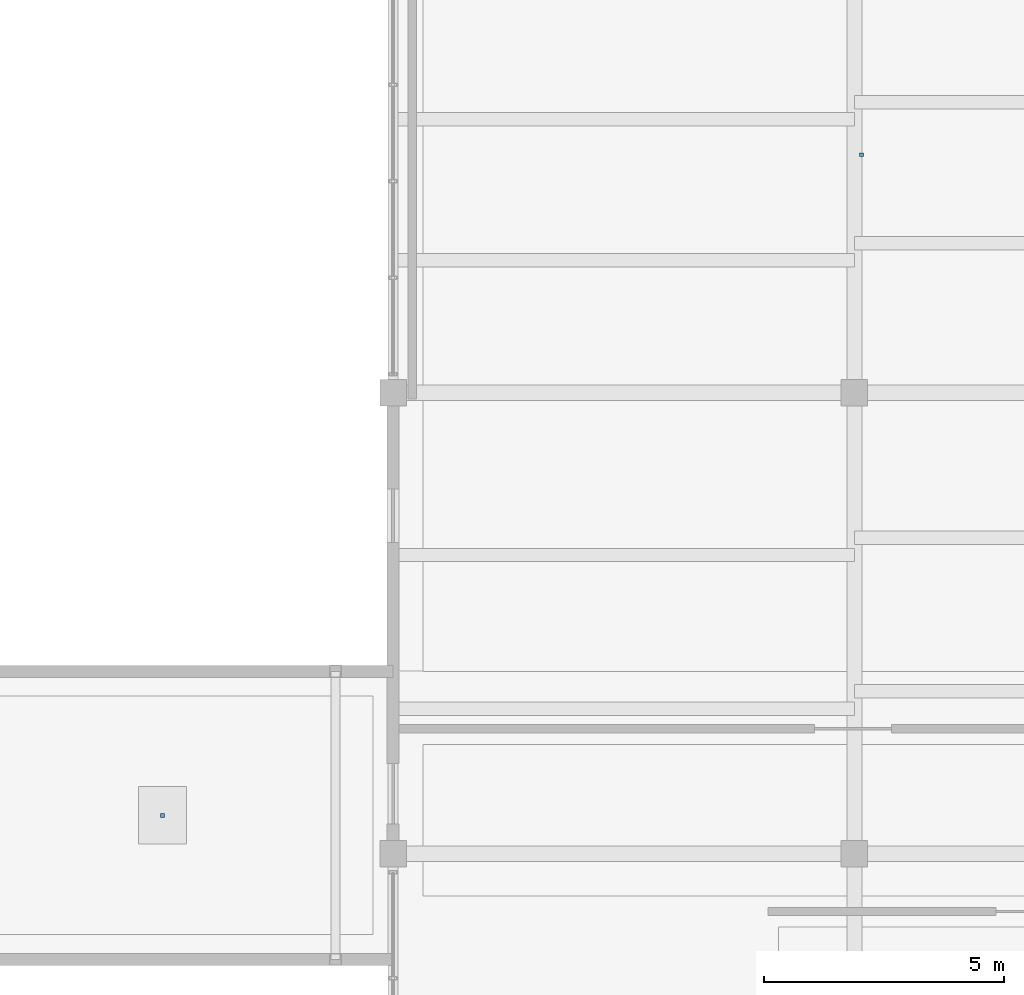
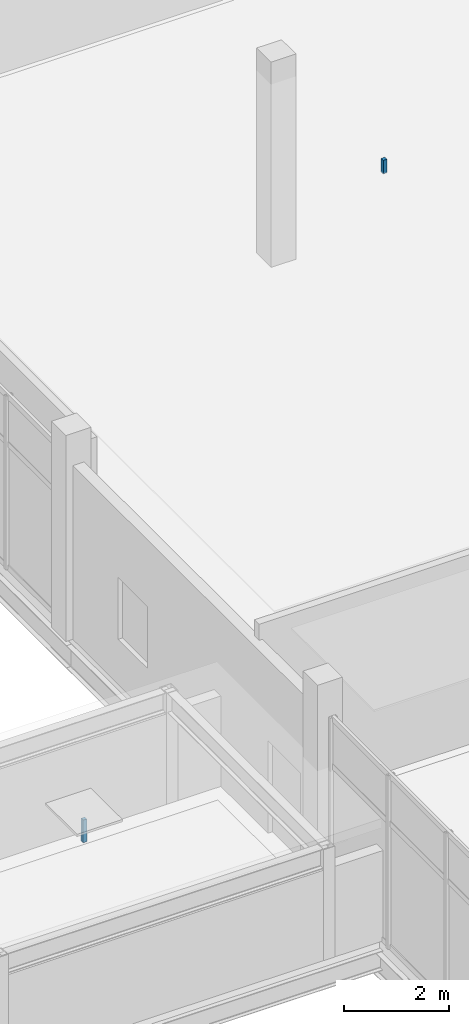
# One storey, part 146 of 157: 2 discrete accessories.
"""IFC4 building model written with IfcOpenShell, lengths in metres."""

from ifc_helpers import new_model, si_unit, direction, frame, origin, origin_2d, place, context, subcontext, project, spatial, rectangle, extrude, material, type_object, element, save


model = new_model("IFC4")

# Units and contexts
model_context = context("Model", 3, precision=1e-05, world=origin(), true_north=direction((0.0, 1.0)))
body_context = subcontext(model_context, "Body", "Model", "MODEL_VIEW")
ifc_project = project(units=[si_unit("LENGTHUNIT", "METRE"), si_unit("AREAUNIT", "SQUARE_METRE"), si_unit("VOLUMEUNIT", "CUBIC_METRE"), si_unit("PLANEANGLEUNIT", "RADIAN"), si_unit("MASSUNIT", "GRAM", prefix="KILO")], contexts=[model_context])

# Site, building, storey
site_placement = place(None, origin())
site = spatial("IfcSite", under=ifc_project, at=site_placement, CompositionType="ELEMENT")
building_placement = place(site_placement, origin())
building = spatial("IfcBuilding", under=site, at=building_placement, Name="Chalmorin Arch Market", CompositionType="ELEMENT")
storey_placement = place(building_placement, frame((0.0, 0.0, 4.800048828125)))
storey = spatial("IfcBuildingStorey", under=building, at=storey_placement, Name="L01", CompositionType="ELEMENT", Elevation=4.800048828125)

# Discrete accessories
ifc_material = material(Name="Galvanized Cold-Formed Steel", Category="steel")
discrete_accessory_type = type_object("IfcDiscreteAccessoryType", Name="CeilingSuspensionBracket-80x80", PredefinedType="BRACKET", material=ifc_material)
discrete_accessory_1_placement = place(storey_placement, frame((43.199951171875, 92.0, 2.10302734375), z_axis=(0.0, 0.0, 1.0), x_axis=(1.0, 0.0, 0.0)))
element("IfcDiscreteAccessory", 1, at=discrete_accessory_1_placement, inside=storey, type_object=discrete_accessory_type, Name="CSB-182", PredefinedType="BRACKET", context=body_context, shape_type="SweptSolid", body=[
    extrude(rectangle(XDim=0.080078125, YDim=0.080078125, at=origin_2d()), origin(), (0.0, 0.0, 1.0), 0.527099609375),
])
discrete_accessory_2_placement = place(storey_placement, frame((57.75, 105.75, 4.259033203125), z_axis=(0.0, 0.0, 1.0), x_axis=(1.0, 0.0, 0.0)))
element("IfcDiscreteAccessory", 2, at=discrete_accessory_2_placement, inside=storey, type_object=discrete_accessory_type, Name="CSB-186", PredefinedType="BRACKET", context=body_context, shape_type="SweptSolid", body=[
    extrude(rectangle(XDim=0.080078125, YDim=0.080078125, at=origin_2d()), origin(), (0.0, 0.0, 1.0), 0.31103515625),
])

save(model, "model.ifc")
